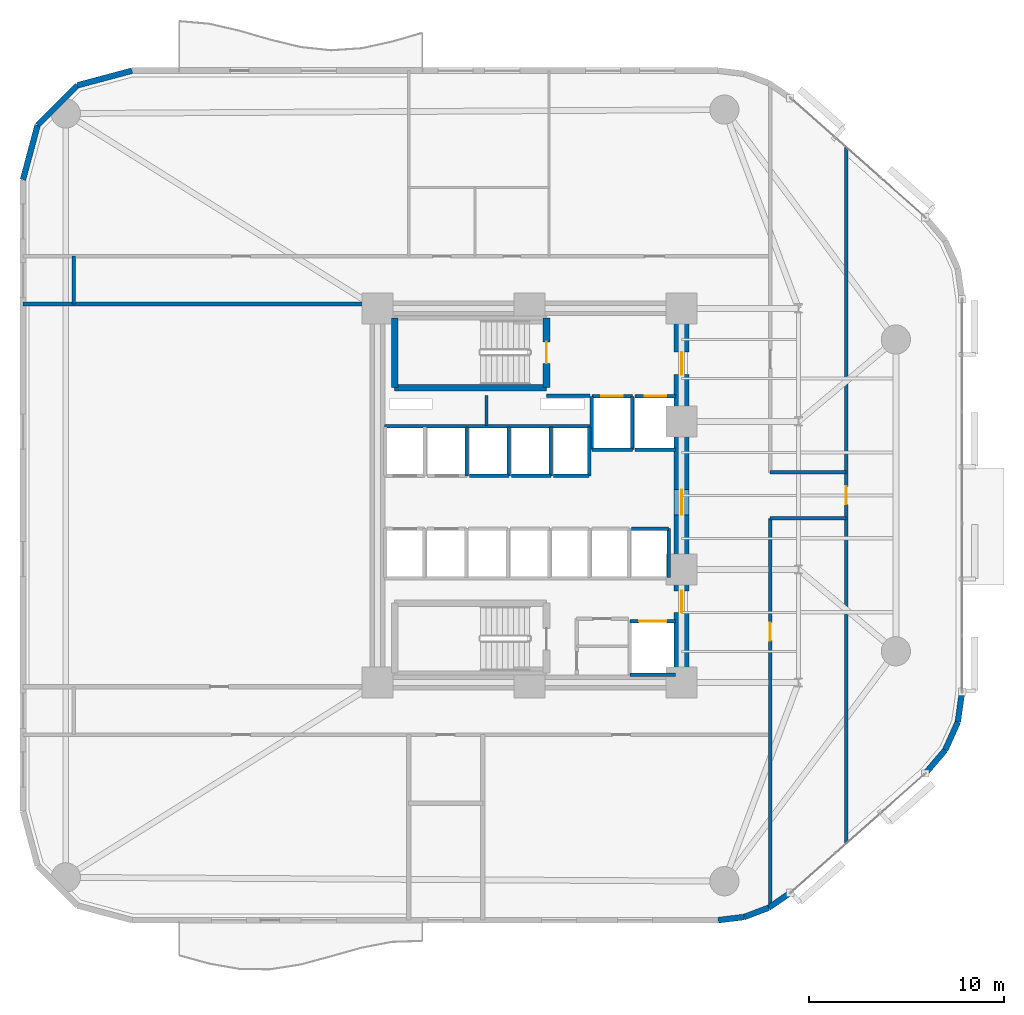
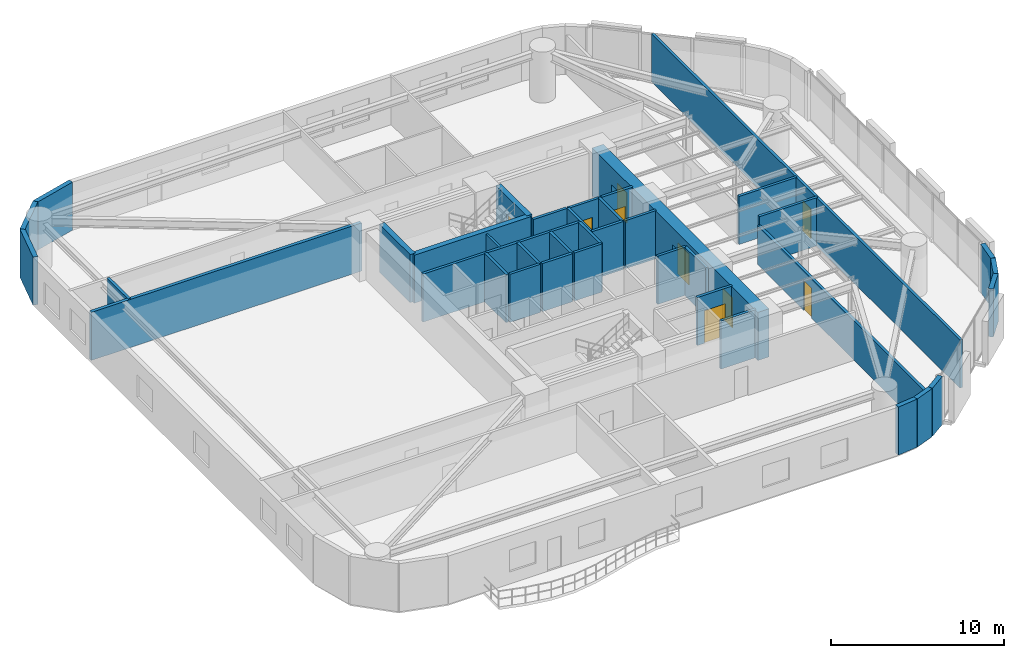
# One storey, part 11 of 15: 39 walls, 9 doors, 9 openings.
"""IFC4 building model written with IfcOpenShell, lengths in metres."""

from ifc_helpers import new_model, si_unit, direction, frame, frame_2d, origin, place, context, subcontext, project, spatial, rectangle, extrude, material, layer, layer_set, type_object, element, fill, save


model = new_model("IFC4")

# Units and contexts
model_context = context("Model", 3, precision=1e-05, world=origin(), true_north=direction((0.0, 1.0)))
body_context = subcontext(model_context, "Body", "Model", "MODEL_VIEW")
ifc_project = project(units=[si_unit("LENGTHUNIT", "METRE"), si_unit("AREAUNIT", "SQUARE_METRE"), si_unit("VOLUMEUNIT", "CUBIC_METRE"), si_unit("PLANEANGLEUNIT", "RADIAN"), si_unit("MASSUNIT", "GRAM", prefix="KILO")], contexts=[model_context])

# Site, building, storey
site_placement = place(None, origin())
site = spatial("IfcSite", under=ifc_project, at=site_placement, CompositionType="ELEMENT")
building_placement = place(site_placement, origin())
building = spatial("IfcBuilding", under=site, at=building_placement, Name="An Khanh Terracotta Commons", CompositionType="ELEMENT")
storey_placement = place(building_placement, frame((0.0, 0.0, 61.199951171875)))
storey = spatial("IfcBuildingStorey", under=building, at=storey_placement, Name="L16", CompositionType="ELEMENT", Elevation=61.199951171875)

# Wall, openings, doors
ifc_material_1 = material(Name="Concrete C70/85", Category="concrete")
ifc_layer_1 = layer(ifc_material_1, 0.75, Name="Concrete C70/85")
ifc_layer_set_1 = layer_set([ifc_layer_1], Name="Concrete C70/85")
wall_type_1 = type_object("IfcWallType", Name="WALL-CORE-750", PredefinedType="SHEAR", material=ifc_layer_set_1)
wall_1_placement = place(storey_placement, frame((37.199951171875, 14.39990234375, 0.0), z_axis=(0.0, 0.0, 1.0), x_axis=(0.0, 1.0, 0.0)))
wall_1 = element("IfcWall", 1, at=wall_1_placement, inside=storey, type_object=wall_type_1, Name="L16 Core Wall CWALL-L16-E", PredefinedType="SHEAR", context=body_context, shape_type="SweptSolid", body=[
    extrude(rectangle(XDim=19.2001953125, YDim=0.75, at=frame_2d((9.60009765625, 0.0))), origin(), (0.0, 0.0, 1.0), 3.400146484375),
])
opening_1_placement = place(wall_1_placement, frame((15.800048828125, 0.0, 0.0)))
opening_1 = element("IfcOpeningElement", 2, at=opening_1_placement, cuts=wall_1, Name="Opening D-FFL", PredefinedType="OPENING", context=body_context, shape_type="SweptSolid", body=[
    extrude(rectangle(XDim=1.14990234375, YDim=2.14990234375, at=frame_2d((0.574951171875, 1.074951171875))), frame((0.0, 0.385009765625, 0.0), z_axis=(0.0, -1.0, 0.0), x_axis=(1.0, 0.0, 0.0)), (0.0, 0.0, 1.0), 0.77001953125),
])
opening_2_placement = place(wall_1_placement, frame((3.60009765625, 0.0, 0.0)))
opening_2 = element("IfcOpeningElement", 3, at=opening_2_placement, cuts=wall_1, Name="Opening D-ST", PredefinedType="OPENING", context=body_context, shape_type="SweptSolid", body=[
    extrude(rectangle(XDim=1.10009765625, YDim=2.14990234375, at=frame_2d((0.550048828125, 1.074951171875))), frame((0.0, 0.385009765625, 0.0), z_axis=(0.0, -1.0, 0.0), x_axis=(1.0, 0.0, 0.0)), (0.0, 0.0, 1.0), 0.77001953125),
])
opening_3_placement = place(wall_1_placement, frame((8.60009765625, 0.0, 0.0)))
opening_3 = element("IfcOpeningElement", 4, at=opening_3_placement, cuts=wall_1, Name="Opening D-COR", PredefinedType="OPENING", context=body_context, shape_type="SweptSolid", body=[
    extrude(rectangle(XDim=1.300048828125, YDim=2.199951171875, at=frame_2d((0.64990234375, 1.10009765625))), frame((0.0, 0.385009765625, 0.0), z_axis=(0.0, -1.0, 0.0), x_axis=(1.0, 0.0, 0.0)), (0.0, 0.0, 1.0), 0.77001953125),
])
ifc_material_2 = material(Name="Fire-Rated Glazed Steel Double Door", Category="steel")
door_type_1 = type_object("IfcDoorType", Name="DOOR-CORR-1300", OperationType="NOTDEFINED", PredefinedType="DOOR", material=ifc_material_2)
door_1_placement = place(opening_3_placement, origin())
door_1 = element("IfcDoor", 5, at=door_1_placement, inside=storey, type_object=door_type_1, Name="L16 Passenger Lift Lobby Double Door", OperationType="DOUBLE_DOOR_SINGLE_SWING", OverallHeight=2.199951171875, OverallWidth=1.300048828125, PredefinedType="DOOR", context=body_context, shape_type="SweptSolid", body=[
    extrude(rectangle(XDim=1.300048828125, YDim=2.199951171875, at=frame_2d((0.64990234375, 1.10009765625))), frame((0.0, 0.02490234375, 0.0), z_axis=(0.0, -1.0, 0.0), x_axis=(1.0, 0.0, 0.0)), (0.0, 0.0, 1.0), 0.050048828125),
])
fill(opening_3, door_1)
ifc_material_3 = material(Name="Fire-Rated Steel Leaf and Vision Panel", Category="steel")
door_type_2 = type_object("IfcDoorType", Name="DOOR-FFL-1150", OperationType="NOTDEFINED", PredefinedType="DOOR", material=ifc_material_3)
door_2_placement = place(opening_1_placement, origin())
door_2 = element("IfcDoor", 6, at=door_2_placement, inside=storey, type_object=door_type_2, Name="L16 Firefighting Lift Lobby Fire Door", OperationType="SINGLE_SWING_LEFT", OverallHeight=2.14990234375, OverallWidth=1.14990234375, PredefinedType="DOOR", context=body_context, shape_type="SweptSolid", body=[
    extrude(rectangle(XDim=1.14990234375, YDim=2.14990234375, at=frame_2d((0.574951171875, 1.074951171875))), frame((0.0, 0.02490234375, 0.0), z_axis=(0.0, -1.0, 0.0), x_axis=(1.0, 0.0, 0.0)), (0.0, 0.0, 1.0), 0.050048828125),
])
fill(opening_1, door_2)
ifc_material_4 = material(Name="Fire-Rated Steel Leaf and Frame", Category="steel")
door_type_3 = type_object("IfcDoorType", Name="DOOR-STAIR-1100", OperationType="NOTDEFINED", PredefinedType="DOOR", material=ifc_material_4)
door_3_placement = place(opening_2_placement, origin())
door_3 = element("IfcDoor", 7, at=door_3_placement, inside=storey, type_object=door_type_3, Name="L16 South Stair Lobby Fire Door", OperationType="SINGLE_SWING_RIGHT", OverallHeight=2.14990234375, OverallWidth=1.10009765625, PredefinedType="DOOR", context=body_context, shape_type="SweptSolid", body=[
    extrude(rectangle(XDim=1.10009765625, YDim=2.14990234375, at=frame_2d((0.550048828125, 1.074951171875))), frame((0.0, 0.02490234375, 0.0), z_axis=(0.0, -1.0, 0.0), x_axis=(1.0, 0.0, 0.0)), (0.0, 0.0, 1.0), 0.050048828125),
])
fill(opening_2, door_3)

# Walls
ifc_material_5 = material(Name="Fire-Rated Gypsum Board on Steel Stud", Category="steel")
ifc_layer_2 = layer(ifc_material_5, 0.179931640625, Name="Fire-Rated Gypsum Board on Steel Stud")
ifc_layer_set_2 = layer_set([ifc_layer_2], Name="Fire-Rated Gypsum Board on Steel Stud")
wall_type_2 = type_object("IfcWallType", Name="WALL-CORR-180", PredefinedType="PARTITIONING", material=ifc_layer_set_2)
wall_2_placement = place(storey_placement, frame((30.27001953125, 29.1201171875, 0.0), z_axis=(0.0, 0.0, 1.0), x_axis=(1.0, 0.0, 0.0)))
element("IfcWall", 8, at=wall_2_placement, inside=storey, type_object=wall_type_2, Name="L16 Core Wall FFLW-L16-S", PredefinedType="PARTITIONING", context=body_context, shape_type="SweptSolid", body=[
    extrude(rectangle(XDim=2.239990234375, YDim=0.179931640625, at=frame_2d((1.1201171875, 0.0))), origin(), (0.0, 0.0, 1.0), 3.400146484375),
])
wall_3_placement = place(storey_placement, frame((21.949951171875, 27.5400390625, 0.0), z_axis=(0.0, 0.0, 1.0), x_axis=(1.0, 0.0, 0.0)))
element("IfcWall", 9, at=wall_3_placement, inside=storey, type_object=wall_type_2, Name="L16 Core Wall RSRW-L16-S", PredefinedType="PARTITIONING", context=body_context, shape_type="SweptSolid", body=[
    extrude(rectangle(XDim=10.56005859375, YDim=0.179931640625, at=frame_2d((5.280029296875, 0.0))), origin(), (0.0, 0.0, 1.0), 3.400146484375),
])

# Wall, opening, door
wall_4_placement = place(storey_placement, frame((32.60009765625, 29.080078125, 0.0), z_axis=(0.0, 0.0, 1.0), x_axis=(1.0, 0.0, 0.0)))
wall_4 = element("IfcWall", 10, at=wall_4_placement, inside=storey, type_object=wall_type_2, Name="L16 Core Wall LSH-L16-FFL-01-N", PredefinedType="PARTITIONING", context=body_context, shape_type="SweptSolid", body=[
    extrude(rectangle(XDim=2.079833984375, YDim=0.179931640625, at=frame_2d((1.0400390625, 0.0))), origin(), (0.0, 0.0, 1.0), 3.400146484375),
])
opening_4_placement = place(wall_4_placement, frame((0.489990234375, 0.0, 0.0)))
opening_4 = element("IfcOpeningElement", 11, at=opening_4_placement, cuts=wall_4, Name="Opening LD-FFL-01-L16", PredefinedType="OPENING", context=body_context, shape_type="SweptSolid", body=[
    extrude(rectangle(XDim=1.10009765625, YDim=2.199951171875, at=frame_2d((0.550048828125, 1.10009765625))), frame((0.0, 0.099853515625, 0.0), z_axis=(0.0, -1.0, 0.0), x_axis=(1.0, 0.0, 0.0)), (0.0, 0.0, 1.0), 0.199951171875),
])
ifc_material_6 = material(Name="Brushed Stainless Steel Fire Landing Door", Category="steel")
door_type_4 = type_object("IfcDoorType", Name="DOOR-LD-FFL-1100", OperationType="NOTDEFINED", PredefinedType="DOOR", material=ifc_material_6)
door_4_placement = place(opening_4_placement, origin())
door_4 = element("IfcDoor", 12, at=door_4_placement, inside=storey, type_object=door_type_4, Name="L16 Lift FFL-01 Sliding Landing Door", OperationType="DOUBLE_DOOR_SLIDING", OverallHeight=2.199951171875, OverallWidth=1.10009765625, PredefinedType="DOOR", context=body_context, shape_type="SweptSolid", body=[
    extrude(rectangle(XDim=1.10009765625, YDim=2.199951171875, at=frame_2d((0.550048828125, 1.10009765625))), frame((0.0, 0.02490234375, 0.0), z_axis=(0.0, -1.0, 0.0), x_axis=(1.0, 0.0, 0.0)), (0.0, 0.0, 1.0), 0.050048828125),
])
fill(opening_4, door_4)

# Walls
wall_5_placement = place(storey_placement, frame((34.679931640625, 26.35009765625, 0.0), z_axis=(0.0, 0.0, 1.0), x_axis=(-1.0, 0.0, 0.0)))
element("IfcWall", 13, at=wall_5_placement, inside=storey, type_object=wall_type_2, Name="L16 Core Wall LSH-L16-FFL-01-S", PredefinedType="PARTITIONING", context=body_context, shape_type="SweptSolid", body=[
    extrude(rectangle(XDim=2.079833984375, YDim=0.179931640625, at=frame_2d((1.0400390625, 0.0))), origin(), (0.0, 0.0, 1.0), 3.400146484375),
])
for number, where, z_axis, x_axis, name in (
    (14, (34.679931640625, 26.35009765625, 0.0), (0.0, 0.0, 1.0), (0.0, 1.0, 0.0), "L16 Core Wall LSH-L16-FFL-01-E"),
    (15, (32.60009765625, 29.080078125, 0.0), (0.0, 0.0, 1.0), (0.0, -1.0, 0.0), "L16 Core Wall LSH-L16-FFL-01-W"),
):
    element("IfcWall", number, at=place(storey_placement, frame(where, z_axis=z_axis, x_axis=x_axis)), inside=storey, type_object=wall_type_2, Name=name, PredefinedType="PARTITIONING", context=body_context, shape_type="SweptSolid", body=[
        extrude(rectangle(XDim=2.72998046875, YDim=0.179931640625, at=frame_2d((1.364990234375, 0.0))), origin(), (0.0, 0.0, 1.0), 3.400146484375),
    ])

# Wall, opening, door
wall_6_placement = place(storey_placement, frame((34.820068359375, 29.080078125, 0.0), z_axis=(0.0, 0.0, 1.0), x_axis=(1.0, 0.0, 0.0)))
wall_6 = element("IfcWall", 16, at=wall_6_placement, inside=storey, type_object=wall_type_2, Name="L16 Core Wall LSH-L16-FFL-02-N", PredefinedType="PARTITIONING", context=body_context, shape_type="SweptSolid", body=[
    extrude(rectangle(XDim=2.079833984375, YDim=0.179931640625, at=frame_2d((1.0400390625, 0.0))), origin(), (0.0, 0.0, 1.0), 3.400146484375),
])
opening_5_placement = place(wall_6_placement, frame((0.489990234375, 0.0, 0.0)))
opening_5 = element("IfcOpeningElement", 17, at=opening_5_placement, cuts=wall_6, Name="Opening LD-FFL-02-L16", PredefinedType="OPENING", context=body_context, shape_type="SweptSolid", body=[
    extrude(rectangle(XDim=1.10009765625, YDim=2.199951171875, at=frame_2d((0.550048828125, 1.10009765625))), frame((0.0, 0.099853515625, 0.0), z_axis=(0.0, -1.0, 0.0), x_axis=(1.0, 0.0, 0.0)), (0.0, 0.0, 1.0), 0.199951171875),
])
door_5_placement = place(opening_5_placement, origin())
door_5 = element("IfcDoor", 18, at=door_5_placement, inside=storey, type_object=door_type_4, Name="L16 Lift FFL-02 Sliding Landing Door", OperationType="DOUBLE_DOOR_SLIDING", OverallHeight=2.199951171875, OverallWidth=1.10009765625, PredefinedType="DOOR", context=body_context, shape_type="SweptSolid", body=[
    extrude(rectangle(XDim=1.10009765625, YDim=2.199951171875, at=frame_2d((0.550048828125, 1.10009765625))), frame((0.0, 0.02490234375, 0.0), z_axis=(0.0, -1.0, 0.0), x_axis=(1.0, 0.0, 0.0)), (0.0, 0.0, 1.0), 0.050048828125),
])
fill(opening_5, door_5)

# Wall
wall_7_placement = place(storey_placement, frame((36.89990234375, 26.35009765625, 0.0), z_axis=(0.0, 0.0, 1.0), x_axis=(-1.0, 0.0, 0.0)))
element("IfcWall", 19, at=wall_7_placement, inside=storey, type_object=wall_type_2, Name="L16 Core Wall LSH-L16-FFL-02-S", PredefinedType="PARTITIONING", context=body_context, shape_type="SweptSolid", body=[
    extrude(rectangle(XDim=2.079833984375, YDim=0.179931640625, at=frame_2d((1.0400390625, 0.0))), origin(), (0.0, 0.0, 1.0), 3.400146484375),
])

# Wall, opening, door
wall_8_placement = place(storey_placement, frame((34.550048828125, 17.550048828125, 0.0), z_axis=(0.0, 0.0, 1.0), x_axis=(1.0, 0.0, 0.0)))
wall_8 = element("IfcWall", 20, at=wall_8_placement, inside=storey, type_object=wall_type_2, Name="L16 Core Wall LSH-L16-SVL-01-N", PredefinedType="PARTITIONING", context=body_context, shape_type="SweptSolid", body=[
    extrude(rectangle(XDim=2.349853515625, YDim=0.179931640625, at=frame_2d((1.1748046875, 0.0))), origin(), (0.0, 0.0, 1.0), 3.400146484375),
])
opening_6_placement = place(wall_8_placement, frame((0.47509765625, 0.0, 0.0)))
opening_6 = element("IfcOpeningElement", 21, at=opening_6_placement, cuts=wall_8, Name="Opening LD-SVL-01-L16", PredefinedType="OPENING", context=body_context, shape_type="SweptSolid", body=[
    extrude(rectangle(XDim=1.39990234375, YDim=2.300048828125, at=frame_2d((0.699951171875, 1.14990234375))), frame((0.0, 0.099853515625, 0.0), z_axis=(0.0, -1.0, 0.0), x_axis=(1.0, 0.0, 0.0)), (0.0, 0.0, 1.0), 0.199951171875),
])
ifc_material_7 = material(Name="Heavy-Duty Stainless Steel Goods Landing Door", Category="steel")
door_type_5 = type_object("IfcDoorType", Name="DOOR-LD-SVL-1400", OperationType="NOTDEFINED", PredefinedType="DOOR", material=ifc_material_7)
door_6_placement = place(opening_6_placement, origin())
door_6 = element("IfcDoor", 22, at=door_6_placement, inside=storey, type_object=door_type_5, Name="L16 Lift SVL-01 Sliding Landing Door", OperationType="DOUBLE_DOOR_SLIDING", OverallHeight=2.300048828125, OverallWidth=1.39990234375, PredefinedType="DOOR", context=body_context, shape_type="SweptSolid", body=[
    extrude(rectangle(XDim=1.39990234375, YDim=2.300048828125, at=frame_2d((0.699951171875, 1.14990234375))), frame((0.0, 0.02490234375, 0.0), z_axis=(0.0, -1.0, 0.0), x_axis=(1.0, 0.0, 0.0)), (0.0, 0.0, 1.0), 0.050048828125),
])
fill(opening_6, door_6)

# Walls
wall_9_placement = place(storey_placement, frame((36.89990234375, 14.800048828125, 0.0), z_axis=(0.0, 0.0, 1.0), x_axis=(-1.0, 0.0, 0.0)))
element("IfcWall", 23, at=wall_9_placement, inside=storey, type_object=wall_type_2, Name="L16 Core Wall LSH-L16-SVL-01-S", PredefinedType="PARTITIONING", context=body_context, shape_type="SweptSolid", body=[
    extrude(rectangle(XDim=2.349853515625, YDim=0.179931640625, at=frame_2d((1.1748046875, 0.0))), origin(), (0.0, 0.0, 1.0), 3.400146484375),
])
wall_10_placement = place(storey_placement, frame((26.179931640625, 25.0, 0.0), z_axis=(0.0, 0.0, 1.0), x_axis=(0.0, 1.0, 0.0)))
element("IfcWall", 24, at=wall_10_placement, inside=storey, type_object=wall_type_2, Name="L16 Core Wall LSH-L16-PL-L2-E", PredefinedType="PARTITIONING", context=body_context, shape_type="SweptSolid", body=[
    extrude(rectangle(XDim=2.5, YDim=0.179931640625, at=frame_2d((1.25, 0.0))), origin(), (0.0, 0.0, 1.0), 3.400146484375),
])
wall_11_placement = place(storey_placement, frame((28.340087890625, 25.0, 0.0), z_axis=(0.0, 0.0, 1.0), x_axis=(-1.0, 0.0, 0.0)))
element("IfcWall", 25, at=wall_11_placement, inside=storey, type_object=wall_type_2, Name="L16 Core Wall LSH-L16-PL-M1-S", PredefinedType="PARTITIONING", context=body_context, shape_type="SweptSolid", body=[
    extrude(rectangle(XDim=2.02001953125, YDim=0.179931640625, at=frame_2d((1.010009765625, 0.0))), origin(), (0.0, 0.0, 1.0), 3.400146484375),
])
wall_12_placement = place(storey_placement, frame((28.340087890625, 25.0, 0.0), z_axis=(0.0, 0.0, 1.0), x_axis=(0.0, 1.0, 0.0)))
element("IfcWall", 26, at=wall_12_placement, inside=storey, type_object=wall_type_2, Name="L16 Core Wall LSH-L16-PL-M1-E", PredefinedType="PARTITIONING", context=body_context, shape_type="SweptSolid", body=[
    extrude(rectangle(XDim=2.5, YDim=0.179931640625, at=frame_2d((1.25, 0.0))), origin(), (0.0, 0.0, 1.0), 3.400146484375),
])
wall_13_placement = place(storey_placement, frame((30.5, 25.0, 0.0), z_axis=(0.0, 0.0, 1.0), x_axis=(-1.0, 0.0, 0.0)))
element("IfcWall", 27, at=wall_13_placement, inside=storey, type_object=wall_type_2, Name="L16 Core Wall LSH-L16-PL-M2-S", PredefinedType="PARTITIONING", context=body_context, shape_type="SweptSolid", body=[
    extrude(rectangle(XDim=2.02001953125, YDim=0.179931640625, at=frame_2d((1.010009765625, 0.0))), origin(), (0.0, 0.0, 1.0), 3.400146484375),
])
wall_14_placement = place(storey_placement, frame((30.5, 25.0, 0.0), z_axis=(0.0, 0.0, 1.0), x_axis=(0.0, 1.0, 0.0)))
element("IfcWall", 28, at=wall_14_placement, inside=storey, type_object=wall_type_2, Name="L16 Core Wall LSH-L16-PL-M2-E", PredefinedType="PARTITIONING", context=body_context, shape_type="SweptSolid", body=[
    extrude(rectangle(XDim=2.5, YDim=0.179931640625, at=frame_2d((1.25, 0.0))), origin(), (0.0, 0.0, 1.0), 3.400146484375),
])
wall_15_placement = place(storey_placement, frame((32.4599609375, 25.0, 0.0), z_axis=(0.0, 0.0, 1.0), x_axis=(-1.0, 0.0, 0.0)))
element("IfcWall", 29, at=wall_15_placement, inside=storey, type_object=wall_type_2, Name="L16 Core Wall LSH-L16-PL-H1-S", PredefinedType="PARTITIONING", context=body_context, shape_type="SweptSolid", body=[
    extrude(rectangle(XDim=1.820068359375, YDim=0.179931640625, at=frame_2d((0.91015625, 0.0))), origin(), (0.0, 0.0, 1.0), 3.400146484375),
])
wall_16_placement = place(storey_placement, frame((32.4599609375, 25.0, 0.0), z_axis=(0.0, 0.0, 1.0), x_axis=(0.0, 1.0, 0.0)))
element("IfcWall", 30, at=wall_16_placement, inside=storey, type_object=wall_type_2, Name="L16 Core Wall LSH-L16-PL-H1-E", PredefinedType="PARTITIONING", context=body_context, shape_type="SweptSolid", body=[
    extrude(rectangle(XDim=2.5, YDim=0.179931640625, at=frame_2d((1.25, 0.0))), origin(), (0.0, 0.0, 1.0), 3.400146484375),
])
wall_17_placement = place(storey_placement, frame((34.639892578125, 22.300048828125, 0.0), z_axis=(0.0, 0.0, 1.0), x_axis=(1.0, 0.0, 0.0)))
element("IfcWall", 31, at=wall_17_placement, inside=storey, type_object=wall_type_2, Name="L16 Core Wall LSH-L16-PL-H4-N", PredefinedType="PARTITIONING", context=body_context, shape_type="SweptSolid", body=[
    extrude(rectangle(XDim=1.900146484375, YDim=0.179931640625, at=frame_2d((0.9501953125, 0.0))), origin(), (0.0, 0.0, 1.0), 3.400146484375),
])
wall_18_placement = place(storey_placement, frame((36.5400390625, 19.800048828125, 0.0), z_axis=(0.0, 0.0, 1.0), x_axis=(0.0, 1.0, 0.0)))
element("IfcWall", 32, at=wall_18_placement, inside=storey, type_object=wall_type_2, Name="L16 Core Wall LSH-L16-PL-H4-E", PredefinedType="PARTITIONING", context=body_context, shape_type="SweptSolid", body=[
    extrude(rectangle(XDim=2.5, YDim=0.179931640625, at=frame_2d((1.25, 0.0))), origin(), (0.0, 0.0, 1.0), 3.400146484375),
])
for number, where, z_axis, x_axis, name in (
    (33, (41.75, 22.820068359375, 0.0), (0.0, 0.0, 1.0), (1.0, 0.0, 0.0), "L16 Interior Partition IW-L16-E004"),
    (34, (41.75, 25.179931640625, 0.0), (0.0, 0.0, 1.0), (1.0, 0.0, 0.0), "L16 Interior Partition IW-L16-E005"),
):
    element("IfcWall", number, at=place(storey_placement, frame(where, z_axis=z_axis, x_axis=x_axis)), inside=storey, type_object=wall_type_2, Name=name, PredefinedType="PARTITIONING", context=body_context, shape_type="SweptSolid", body=[
        extrude(rectangle(XDim=3.89990234375, YDim=0.179931640625, at=frame_2d((1.949951171875, 0.0))), origin(), (0.0, 0.0, 1.0), 3.400146484375),
    ])
wall_19_placement = place(storey_placement, frame((6.0, 33.820068359375, 0.0), z_axis=(0.0, 0.0, 1.0), x_axis=(0.0, 1.0, 0.0)))
element("IfcWall", 35, at=wall_19_placement, inside=storey, type_object=wall_type_2, Name="L16 Interior Partition IW-L16-E010", PredefinedType="PARTITIONING", context=body_context, shape_type="SweptSolid", body=[
    extrude(rectangle(XDim=2.4599609375, YDim=0.179931640625, at=frame_2d((1.22998046875, 0.0))), origin(), (0.0, 0.0, 1.0), 3.400146484375),
])

# Wall, opening, door
wall_20_placement = place(storey_placement, frame((41.75, 2.888916015625, 0.0), z_axis=(0.0, 0.0, 1.0), x_axis=(0.0, 1.0, 0.0)))
wall_20 = element("IfcWall", 36, at=wall_20_placement, inside=storey, type_object=wall_type_2, Name="L16 Interior Partition IW-L16-E016", PredefinedType="PARTITIONING", context=body_context, shape_type="SweptSolid", body=[
    extrude(rectangle(XDim=19.93115234375, YDim=0.179931640625, at=frame_2d((9.965576171875, 0.0))), origin(), (0.0, 0.0, 1.0), 2.781982421875),
])
opening_7_placement = place(wall_20_placement, frame((13.660888671875, 0.0, 0.0)))
opening_7 = element("IfcOpeningElement", 37, at=opening_7_placement, cuts=wall_20, Name="Opening D-RM", PredefinedType="OPENING", context=body_context, shape_type="SweptSolid", body=[
    extrude(rectangle(XDim=0.919921875, YDim=2.10009765625, at=frame_2d((0.4599609375, 1.050048828125))), frame((0.0, 0.099853515625, 0.0), z_axis=(0.0, -1.0, 0.0), x_axis=(1.0, 0.0, 0.0)), (0.0, 0.0, 1.0), 0.199951171875),
])
ifc_material_8 = material(Name="Engineered Hardwood Timber Leaf", Category="wood")
door_type_6 = type_object("IfcDoorType", Name="DOOR-INT-920", OperationType="NOTDEFINED", PredefinedType="DOOR", material=ifc_material_8)
door_7_placement = place(opening_7_placement, origin())
door_7 = element("IfcDoor", 38, at=door_7_placement, inside=storey, type_object=door_type_6, Name="L16 SPN2 Research Study Office Door", OperationType="SINGLE_SWING_LEFT", OverallHeight=2.10009765625, OverallWidth=0.919921875, PredefinedType="DOOR", context=body_context, shape_type="SweptSolid", body=[
    extrude(rectangle(XDim=0.919921875, YDim=2.10009765625, at=frame_2d((0.4599609375, 1.050048828125))), frame((0.0, 0.02490234375, 0.0), z_axis=(0.0, -1.0, 0.0), x_axis=(1.0, 0.0, 0.0)), (0.0, 0.0, 1.0), 0.050048828125),
])
fill(opening_7, door_7)

wall_21_placement = place(storey_placement, frame((45.64990234375, 6.136962890625, 0.0), z_axis=(0.0, 0.0, 1.0), x_axis=(0.0, 1.0, 0.0)))
wall_21 = element("IfcWall", 39, at=wall_21_placement, inside=storey, type_object=wall_type_2, Name="L16 Interior Partition IW-L16-E018", PredefinedType="PARTITIONING", context=body_context, shape_type="SweptSolid", body=[
    extrude(rectangle(XDim=35.72607421875, YDim=0.179931640625, at=frame_2d((17.863037109375, 0.0))), origin(), (0.0, 0.0, 1.0), 3.400146484375),
])
opening_8_placement = place(wall_21_placement, frame((17.403076171875, 0.0, 0.0)))
opening_8 = element("IfcOpeningElement", 40, at=opening_8_placement, cuts=wall_21, Name="Opening D-RM", PredefinedType="OPENING", context=body_context, shape_type="SweptSolid", body=[
    extrude(rectangle(XDim=0.919921875, YDim=2.10009765625, at=frame_2d((0.4599609375, 1.050048828125))), frame((0.0, 0.099853515625, 0.0), z_axis=(0.0, -1.0, 0.0), x_axis=(1.0, 0.0, 0.0)), (0.0, 0.0, 1.0), 0.199951171875),
])
door_8_placement = place(opening_8_placement, origin())
door_8 = element("IfcDoor", 41, at=door_8_placement, inside=storey, type_object=door_type_6, Name="L16 GHALL Riverfront Reference Library Door", OperationType="SINGLE_SWING_RIGHT", OverallHeight=2.10009765625, OverallWidth=0.919921875, PredefinedType="DOOR", context=body_context, shape_type="SweptSolid", body=[
    extrude(rectangle(XDim=0.919921875, YDim=2.10009765625, at=frame_2d((0.4599609375, 1.050048828125))), frame((0.0, 0.02490234375, 0.0), z_axis=(0.0, -1.0, 0.0), x_axis=(1.0, 0.0, 0.0)), (0.0, 0.0, 1.0), 0.050048828125),
])
fill(opening_8, door_8)

# Walls
ifc_material_9 = material(Name="Precast concrete C40/50", Category="concrete")
ifc_layer_3 = layer(ifc_material_9, 0.300048828125, Name="Precast concrete C40/50")
ifc_layer_set_3 = layer_set([ifc_layer_3], Name="Precast concrete C40/50")
wall_type_3 = type_object("IfcWallType", Name="WALL-EXT-300", PredefinedType="SOLIDWALL", material=ifc_layer_set_3)
wall_22_placement = place(storey_placement, frame((39.0791015625, 2.199951171875, 0.0), z_axis=(0.0, 0.0, 1.0), x_axis=(0.992739027259, 0.120288086515, 0.0)))
element("IfcWall", 42, at=wall_22_placement, inside=storey, type_object=wall_type_3, Name="L16 Insulated Terracotta Exterior Wall 5", PredefinedType="SOLIDWALL", context=body_context, shape_type="SweptSolid", body=[
    extrude(rectangle(XDim=1.34765625, YDim=0.300048828125, at=frame_2d((0.673828125, 0.0))), origin(), (0.0, 0.0, 1.0), 3.400146484375),
])
wall_23_placement = place(storey_placement, frame((40.4169921875, 2.362060546875, 0.0), z_axis=(0.0, 0.0, 1.0), x_axis=(0.935156721165, 0.354234254216, 0.0)))
element("IfcWall", 43, at=wall_23_placement, inside=storey, type_object=wall_type_3, Name="L16 Insulated Terracotta Exterior Wall 6", PredefinedType="SOLIDWALL", context=body_context, shape_type="SweptSolid", body=[
    extrude(rectangle(XDim=1.349365234375, YDim=0.300048828125, at=frame_2d((0.6748046875, 0.0))), origin(), (0.0, 0.0, 1.0), 3.400146484375),
])
wall_24_placement = place(storey_placement, frame((41.678955078125, 2.840087890625, 0.0), z_axis=(0.0, 0.0, 1.0), x_axis=(0.823116500192, 0.567872544777, 0.0)))
element("IfcWall", 44, at=wall_24_placement, inside=storey, type_object=wall_type_3, Name="L16 Insulated Terracotta Exterior Wall 7", PredefinedType="SOLIDWALL", context=body_context, shape_type="SweptSolid", body=[
    extrude(rectangle(XDim=1.3486328125, YDim=0.300048828125, at=frame_2d((0.67431640625, 0.0))), origin(), (0.0, 0.0, 1.0), 3.400146484375),
])
wall_25_placement = place(storey_placement, frame((49.7099609375, 9.72802734375, 0.0), z_axis=(0.0, 0.0, 1.0), x_axis=(0.648389989909, 0.7613083613, 0.0)))
element("IfcWall", 45, at=wall_25_placement, inside=storey, type_object=wall_type_3, Name="L16 Insulated Terracotta Exterior Wall 9", PredefinedType="SOLIDWALL", context=body_context, shape_type="SweptSolid", body=[
    extrude(rectangle(XDim=1.576171875, YDim=0.300048828125, at=frame_2d((0.7880859375, 0.0))), origin(), (0.0, 0.0, 1.0), 3.400146484375),
])
wall_26_placement = place(storey_placement, frame((50.73193359375, 10.927978515625, 0.0), z_axis=(0.0, 0.0, 1.0), x_axis=(0.410996558744, 0.911636895206, 0.0)))
element("IfcWall", 46, at=wall_26_placement, inside=storey, type_object=wall_type_3, Name="L16 Insulated Terracotta Exterior Wall 10", PredefinedType="SOLIDWALL", context=body_context, shape_type="SweptSolid", body=[
    extrude(rectangle(XDim=1.57421875, YDim=0.300048828125, at=frame_2d((0.787109375, 0.0))), origin(), (0.0, 0.0, 1.0), 3.400146484375),
])
wall_27_placement = place(storey_placement, frame((51.37890625, 12.363037109375, 0.0), z_axis=(0.0, 0.0, 1.0), x_axis=(0.140380048512, 0.990097693149, 0.0)))
element("IfcWall", 47, at=wall_27_placement, inside=storey, type_object=wall_type_3, Name="L16 Insulated Terracotta Exterior Wall 11", PredefinedType="SOLIDWALL", context=body_context, shape_type="SweptSolid", body=[
    extrude(rectangle(XDim=1.57568359375, YDim=0.300048828125, at=frame_2d((0.787841796875, 0.0))), origin(), (0.0, 0.0, 1.0), 3.400146484375),
])
wall_28_placement = place(storey_placement, frame((9.0, 45.800048828125, 0.0), z_axis=(0.0, 0.0, 1.0), x_axis=(-0.96594917914, -0.258731875344, 0.0)))
element("IfcWall", 48, at=wall_28_placement, inside=storey, type_object=wall_type_3, Name="L16 Insulated Terracotta Exterior Wall 21", PredefinedType="SOLIDWALL", context=body_context, shape_type="SweptSolid", body=[
    extrude(rectangle(XDim=2.898681640625, YDim=0.300048828125, at=frame_2d((1.44921875, 0.0))), origin(), (0.0, 0.0, 1.0), 3.400146484375),
])
wall_29_placement = place(storey_placement, frame((6.199951171875, 45.050048828125, 0.0), z_axis=(0.0, 0.0, 1.0), x_axis=(-0.707106781187, -0.707106781187, 0.0)))
element("IfcWall", 49, at=wall_29_placement, inside=storey, type_object=wall_type_3, Name="L16 Insulated Terracotta Exterior Wall 22", PredefinedType="SOLIDWALL", context=body_context, shape_type="SweptSolid", body=[
    extrude(rectangle(XDim=2.899169921875, YDim=0.300048828125, at=frame_2d((1.44970703125, 0.0))), origin(), (0.0, 0.0, 1.0), 3.400146484375),
])
wall_30_placement = place(storey_placement, frame((4.14990234375, 43.0, 0.0), z_axis=(0.0, 0.0, 1.0), x_axis=(-0.258731875344, -0.96594917914, 0.0)))
element("IfcWall", 50, at=wall_30_placement, inside=storey, type_object=wall_type_3, Name="L16 Insulated Terracotta Exterior Wall 23", PredefinedType="SOLIDWALL", context=body_context, shape_type="SweptSolid", body=[
    extrude(rectangle(XDim=2.898681640625, YDim=0.300048828125, at=frame_2d((1.44921875, 0.0))), origin(), (0.0, 0.0, 1.0), 3.400146484375),
])
ifc_material_10 = material(Name="Acoustic Gypsum Board Partition")
ifc_layer_4 = layer(ifc_material_10, 0.14990234375, Name="Acoustic Gypsum Board Partition")
ifc_layer_set_4 = layer_set([ifc_layer_4], Name="Acoustic Gypsum Board Partition")
wall_type_4 = type_object("IfcWallType", Name="WALL-PART-150", PredefinedType="PARTITIONING", material=ifc_layer_set_4)
wall_31_placement = place(storey_placement, frame((27.199951171875, 27.60009765625, 0.0), z_axis=(0.0, 0.0, 1.0), x_axis=(0.0, 1.0, 0.0)))
element("IfcWall", 51, at=wall_31_placement, inside=storey, type_object=wall_type_4, Name="L16 Core Wall RSRW-L16-D1", PredefinedType="PARTITIONING", context=body_context, shape_type="SweptSolid", body=[
    extrude(rectangle(XDim=1.52001953125, YDim=0.14990234375, at=frame_2d((0.760009765625, 0.0))), origin(), (0.0, 0.0, 1.0), 3.400146484375),
])
ifc_material_11 = material(Name="Acoustic Double-Stud Gypsum and Mineral Wool")
ifc_layer_5 = layer(ifc_material_11, 0.219970703125, Name="Acoustic Double-Stud Gypsum and Mineral Wool")
ifc_layer_set_5 = layer_set([ifc_layer_5], Name="Acoustic Double-Stud Gypsum and Mineral Wool")
wall_type_5 = type_object("IfcWallType", Name="WALL-PARTY-220", PredefinedType="PARTITIONING", material=ifc_layer_set_5)
wall_32_placement = place(storey_placement, frame((3.39990234375, 33.820068359375, 0.0), z_axis=(0.0, 0.0, 1.0), x_axis=(1.0, 0.0, 0.0)))
element("IfcWall", 52, at=wall_32_placement, inside=storey, type_object=wall_type_5, Name="L16 Interior Partition IW-L16-E006", PredefinedType="PARTITIONING", context=body_context, shape_type="SweptSolid", body=[
    extrude(rectangle(XDim=18.080078125, YDim=0.219970703125, at=frame_2d((9.0400390625, 0.0))), origin(), (0.0, 0.0, 1.0), 3.400146484375),
])
ifc_material_12 = material(Name="Concrete C50/60", Category="concrete")
ifc_layer_6 = layer(ifc_material_12, 0.35009765625, Name="Concrete C50/60")
ifc_layer_set_6 = layer_set([ifc_layer_6], Name="Concrete C50/60")
wall_type_6 = type_object("IfcWallType", Name="WALL-SHAFT-350", PredefinedType="SOLIDWALL", material=ifc_layer_set_6)
wall_33_placement = place(storey_placement, frame((22.47998046875, 29.530029296875, 0.0), z_axis=(0.0, 0.0, 1.0), x_axis=(1.0, 0.0, 0.0)))
element("IfcWall", 53, at=wall_33_placement, inside=storey, type_object=wall_type_6, Name="L16 Core Wall STW-L16-N-S", PredefinedType="SOLIDWALL", context=body_context, shape_type="SweptSolid", body=[
    extrude(rectangle(XDim=7.7900390625, YDim=0.35009765625, at=frame_2d((3.89501953125, 0.0))), origin(), (0.0, 0.0, 1.0), 3.400146484375),
])
wall_34_placement = place(storey_placement, frame((22.47998046875, 29.530029296875, 0.0), z_axis=(0.0, 0.0, 1.0), x_axis=(0.0, 1.0, 0.0)))
element("IfcWall", 54, at=wall_34_placement, inside=storey, type_object=wall_type_6, Name="L16 Core Wall STW-L16-N-W", PredefinedType="SOLIDWALL", context=body_context, shape_type="SweptSolid", body=[
    extrude(rectangle(XDim=3.580078125, YDim=0.35009765625, at=frame_2d((1.7900390625, 0.0))), origin(), (0.0, 0.0, 1.0), 3.400146484375),
])

# Wall, opening, door
wall_35_placement = place(storey_placement, frame((30.27001953125, 29.530029296875, 0.0), z_axis=(0.0, 0.0, 1.0), x_axis=(0.0, 1.0, 0.0)))
wall_35 = element("IfcWall", 55, at=wall_35_placement, inside=storey, type_object=wall_type_6, Name="L16 Core Wall STW-L16-N-E", PredefinedType="SOLIDWALL", context=body_context, shape_type="SweptSolid", body=[
    extrude(rectangle(XDim=3.580078125, YDim=0.35009765625, at=frame_2d((1.7900390625, 0.0))), origin(), (0.0, 0.0, 1.0), 3.400146484375),
])
opening_9_placement = place(wall_35_placement, frame((1.25, 0.0, 0.0)))
opening_9 = element("IfcOpeningElement", 56, at=opening_9_placement, cuts=wall_35, Name="Opening D-ST", PredefinedType="OPENING", context=body_context, shape_type="SweptSolid", body=[
    extrude(rectangle(XDim=1.10009765625, YDim=2.14990234375, at=frame_2d((0.550048828125, 1.074951171875))), frame((0.0, 0.18505859375, 0.0), z_axis=(0.0, -1.0, 0.0), x_axis=(1.0, 0.0, 0.0)), (0.0, 0.0, 1.0), 0.3701171875),
])
door_9_placement = place(opening_9_placement, origin())
door_9 = element("IfcDoor", 57, at=door_9_placement, inside=storey, type_object=door_type_3, Name="L16 Stair ST-01 Fire Door", OperationType="SINGLE_SWING_LEFT", OverallHeight=2.14990234375, OverallWidth=1.10009765625, PredefinedType="DOOR", context=body_context, shape_type="SweptSolid", body=[
    extrude(rectangle(XDim=1.10009765625, YDim=2.14990234375, at=frame_2d((0.550048828125, 1.074951171875))), frame((0.0, 0.02490234375, 0.0), z_axis=(0.0, -1.0, 0.0), x_axis=(1.0, 0.0, 0.0)), (0.0, 0.0, 1.0), 0.050048828125),
])
fill(opening_9, door_9)

save(model, "model.ifc")
